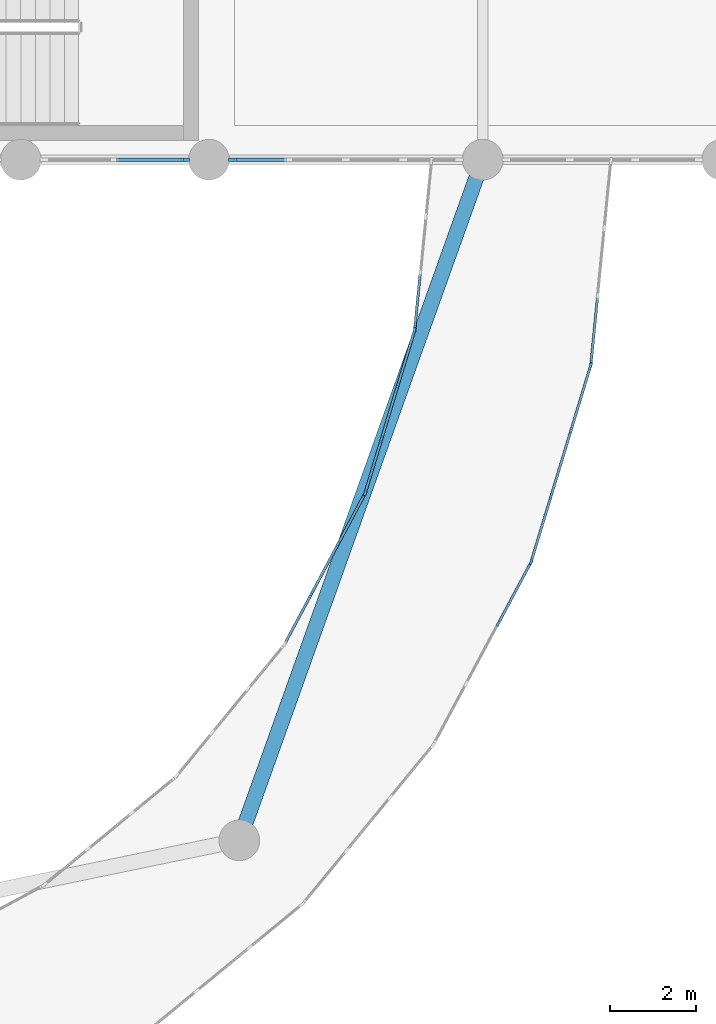
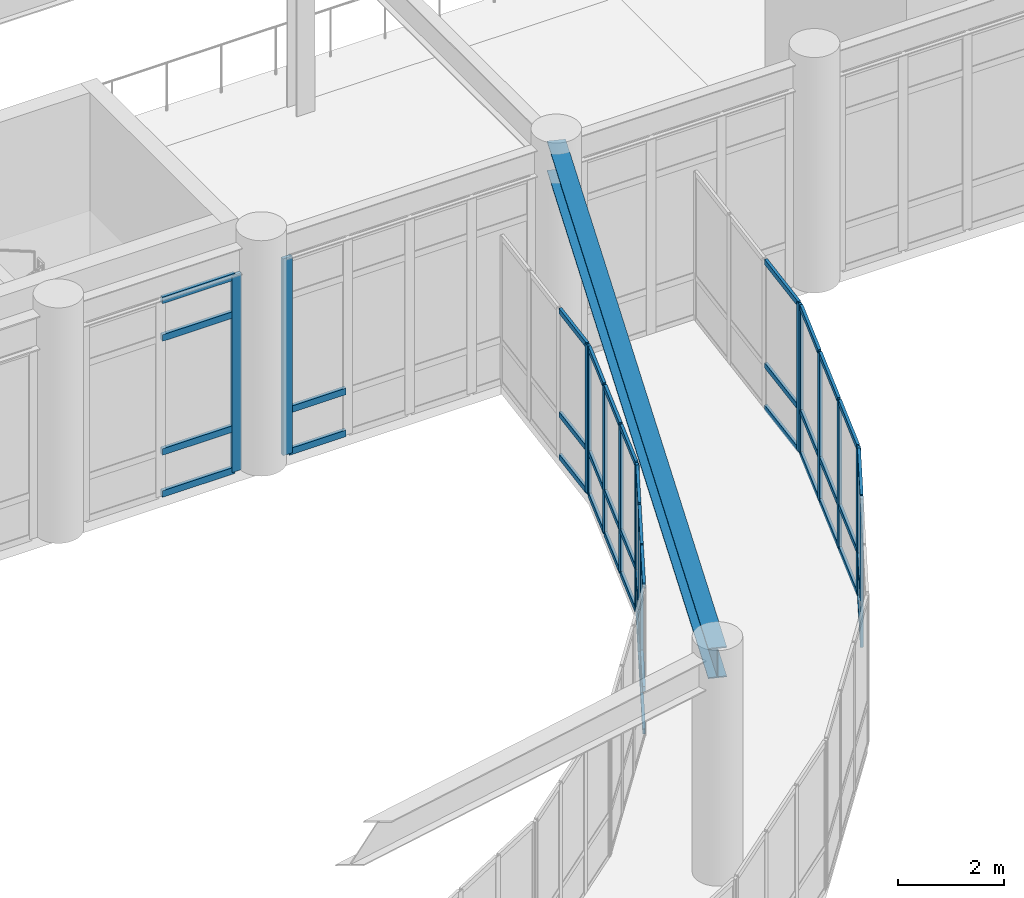
# One storey, part 26 of 72: 59 members, 1 beam, 8 elements without a shape of their own.
"""IFC4 building model written with IfcOpenShell, lengths in metres."""

from ifc_helpers import new_model, si_unit, direction, frame, origin, origin_2d, place, context, subcontext, project, spatial, rectangle, i_section, extrude, material, material_profile, profile_set, type_object, element, aggregate, save


model = new_model("IFC4")

# Units and contexts
model_context = context("Model", 3, precision=1e-05, world=origin(), true_north=direction((0.0, 1.0)))
body_context = subcontext(model_context, "Body", "Model", "MODEL_VIEW")
ifc_project = project(units=[si_unit("LENGTHUNIT", "METRE"), si_unit("AREAUNIT", "SQUARE_METRE"), si_unit("VOLUMEUNIT", "CUBIC_METRE"), si_unit("PLANEANGLEUNIT", "RADIAN"), si_unit("MASSUNIT", "GRAM", prefix="KILO")], contexts=[model_context])

# Site, building, storey
site_placement = place(None, origin())
site = spatial("IfcSite", under=ifc_project, at=site_placement, CompositionType="ELEMENT")
building_placement = place(site_placement, origin())
building = spatial("IfcBuilding", under=site, at=building_placement, Name="Veldera Park Congress Hotel", CompositionType="ELEMENT")
storey_placement = place(building_placement, frame((0.0, 0.0, 5.39990234375)))
storey = spatial("IfcBuildingStorey", under=building, at=storey_placement, Name="L01", CompositionType="ELEMENT", Elevation=5.39990234375)

# Beam
ifc_material_1 = material(Name="Steel ASTM A992 Gr.50", Category="steel")
ifc_material_profile_1 = material_profile(ifc_material_1, i_section(OverallWidth=0.35498046875, OverallDepth=0.696044921875, WebThickness=0.015380859375, FlangeThickness=0.02490234375, at=origin_2d()), Name="W27X146")
ifc_profile_set_1 = profile_set([ifc_material_profile_1], Name="Steel ASTM A992 Gr.50")
beam_type = type_object("IfcBeamType", Name="BM-W27E", PredefinedType="BEAM", material=ifc_profile_set_1)
beam_placement = place(storey_placement, frame((14.309814453125, 1.489990234375, 4.7900390625), z_axis=(0.336760153305, 0.94159046254, 0.0), x_axis=(-0.94159046254, 0.336760153305, 0.0)))
element("IfcBeam", 1, at=beam_placement, inside=storey, type_object=beam_type, Name="L01 Skybridge Support Girder B W", PredefinedType="BEAM", context=body_context, shape_type="SweptSolid", body=[
    extrude(i_section(OverallWidth=0.35498046875, OverallDepth=0.696044921875, WebThickness=0.015380859375, FlangeThickness=0.02490234375, at=origin_2d()), origin(), (0.0, 0.0, 1.0), 16.896728515625),
])

# Curtain wall, members
ifc_material_2 = material(Name="Low-E Triple Insulating Glass Unit (SHGC 0.22)", Category="glass")
curtain_wall_type_1 = type_object("IfcCurtainWallType", Name="CW-BRG", PredefinedType="NOTDEFINED", material=ifc_material_2)
curtain_wall_1_placement = place(storey_placement, origin())
curtain_wall_1 = element("IfcCurtainWall", 2, at=curtain_wall_1_placement, inside=storey, type_object=curtain_wall_type_1, Name="L01 Curtain Wall CW3-BRGW-L01-A05", PredefinedType="NOTDEFINED")
ifc_material_3 = material(Name="Anodised Aluminium Alloy 6063-T6", Category="aluminium")
ifc_material_profile_2 = material_profile(ifc_material_3, rectangle(XDim=0.06005859375, YDim=0.159912109375, at=origin_2d()), Name="ALU 60x160")
ifc_profile_set_2 = profile_set([ifc_material_profile_2], Name="Anodised Aluminium Alloy 6063-T6")
member_type_1 = type_object("IfcMemberType", Name="CWM-160", PredefinedType="MULLION", material=ifc_profile_set_2)
member_1_placement = place(storey_placement, frame((20.36962890625, 6.568359375, 0.0), z_axis=(0.0, 0.0, 1.0), x_axis=(-0.881927804203, 0.471384501415, 0.0)))
member_1 = element("IfcMember", 3, at=member_1_placement, type_object=member_type_1, Name="CW-BRG mullion 3", PredefinedType="MULLION", context=body_context, shape_type="SweptSolid", body=[
    extrude(rectangle(XDim=0.06005859375, YDim=0.159912109375, at=origin_2d()), origin(), (0.0, 0.0, 1.0), 3.400146484375),
])
member_2_placement = place(storey_placement, frame((21.11328125, 7.95947265625, 0.0), z_axis=(0.0, 0.0, 1.0), x_axis=(-0.881927804203, 0.471384501415, 0.0)))
member_2 = element("IfcMember", 4, at=member_2_placement, type_object=member_type_1, Name="CW-BRG mullion 4", PredefinedType="MULLION", context=body_context, shape_type="SweptSolid", body=[
    extrude(rectangle(XDim=0.06005859375, YDim=0.159912109375, at=origin_2d()), origin(), (0.0, 0.0, 1.0), 3.400146484375),
])

curtain_wall_2_placement = place(storey_placement, origin())
curtain_wall_2 = element("IfcCurtainWall", 5, at=curtain_wall_2_placement, inside=storey, type_object=curtain_wall_type_1, Name="L01 Curtain Wall CW3-BRGW-L01-A06", PredefinedType="NOTDEFINED")
member_3_placement = place(storey_placement, frame((21.13623046875, 8.0146484375, 0.0), z_axis=(0.0, 0.0, 1.0), x_axis=(-0.956939429957, 0.290287663177, 0.0)))
member_3 = element("IfcMember", 6, at=member_3_placement, type_object=member_type_1, Name="CW-BRG mullion 1", PredefinedType="MULLION", context=body_context, shape_type="SweptSolid", body=[
    extrude(rectangle(XDim=0.06005859375, YDim=0.159912109375, at=origin_2d()), origin(), (0.0, 0.0, 1.0), 3.400146484375),
])
member_4_placement = place(storey_placement, frame((21.593994140625, 9.524169921875, 0.0), z_axis=(0.0, 0.0, 1.0), x_axis=(-0.956939429957, 0.290287663177, 0.0)))
member_4 = element("IfcMember", 7, at=member_4_placement, type_object=member_type_1, Name="CW-BRG mullion 2", PredefinedType="MULLION", context=body_context, shape_type="SweptSolid", body=[
    extrude(rectangle(XDim=0.06005859375, YDim=0.159912109375, at=origin_2d()), origin(), (0.0, 0.0, 1.0), 3.400146484375),
])
member_5_placement = place(storey_placement, frame((22.060546875, 11.0625, 0.0), z_axis=(0.0, 0.0, 1.0), x_axis=(-0.956939429957, 0.290287663177, 0.0)))
member_5 = element("IfcMember", 8, at=member_5_placement, type_object=member_type_1, Name="CW-BRG mullion 3", PredefinedType="MULLION", context=body_context, shape_type="SweptSolid", body=[
    extrude(rectangle(XDim=0.06005859375, YDim=0.159912109375, at=origin_2d()), origin(), (0.0, 0.0, 1.0), 3.400146484375),
])
member_6_placement = place(storey_placement, frame((22.5185546875, 12.572021484375, 0.0), z_axis=(0.0, 0.0, 1.0), x_axis=(-0.956939429957, 0.290287663177, 0.0)))
member_6 = element("IfcMember", 9, at=member_6_placement, type_object=member_type_1, Name="CW-BRG mullion 4", PredefinedType="MULLION", context=body_context, shape_type="SweptSolid", body=[
    extrude(rectangle(XDim=0.06005859375, YDim=0.159912109375, at=origin_2d()), origin(), (0.0, 0.0, 1.0), 3.400146484375),
])

# Curtain wall, member
curtain_wall_3_placement = place(storey_placement, origin())
curtain_wall_3 = element("IfcCurtainWall", 10, at=curtain_wall_3_placement, inside=storey, type_object=curtain_wall_type_1, Name="L01 Curtain Wall CW3-BRGW-L01-A07", PredefinedType="NOTDEFINED")
member_7_placement = place(storey_placement, frame((22.5302734375, 12.630615234375, 0.0), z_axis=(0.0, 0.0, 1.0), x_axis=(-0.995184320963, 0.098021259481, 0.0)))
member_7 = element("IfcMember", 11, at=member_7_placement, type_object=member_type_1, Name="CW-BRG mullion 1", PredefinedType="MULLION", context=body_context, shape_type="SweptSolid", body=[
    extrude(rectangle(XDim=0.06005859375, YDim=0.159912109375, at=origin_2d()), origin(), (0.0, 0.0, 1.0), 3.400146484375),
])

curtain_wall_4_placement = place(storey_placement, origin())
curtain_wall_4 = element("IfcCurtainWall", 12, at=curtain_wall_4_placement, inside=storey, type_object=curtain_wall_type_1, Name="L01 Curtain Wall CW3-BRGW-L01-B09", PredefinedType="NOTDEFINED")
member_8_placement = place(storey_placement, frame((18.410888671875, 13.449951171875, 0.0), z_axis=(0.0, 0.0, 1.0), x_axis=(0.99518414337, -0.098023062513, 0.0)))
member_8 = element("IfcMember", 13, at=member_8_placement, type_object=member_type_1, Name="CW-BRG mullion 4", PredefinedType="MULLION", context=body_context, shape_type="SweptSolid", body=[
    extrude(rectangle(XDim=0.06005859375, YDim=0.159912109375, at=origin_2d()), origin(), (0.0, 0.0, 1.0), 3.400146484375),
])

# Curtain wall, members
curtain_wall_5_placement = place(storey_placement, origin())
curtain_wall_5 = element("IfcCurtainWall", 14, at=curtain_wall_5_placement, inside=storey, type_object=curtain_wall_type_1, Name="L01 Curtain Wall CW3-BRGW-L01-B10", PredefinedType="NOTDEFINED")
member_9_placement = place(storey_placement, frame((18.399169921875, 13.3916015625, 0.0), z_axis=(0.0, 0.0, 1.0), x_axis=(0.956938767513, -0.290289846929, 0.0)))
member_9 = element("IfcMember", 15, at=member_9_placement, type_object=member_type_1, Name="CW-BRG mullion 1", PredefinedType="MULLION", context=body_context, shape_type="SweptSolid", body=[
    extrude(rectangle(XDim=0.06005859375, YDim=0.159912109375, at=origin_2d()), origin(), (0.0, 0.0, 1.0), 3.400146484375),
])
member_10_placement = place(storey_placement, frame((18.02099609375, 12.14453125, 0.0), z_axis=(0.0, 0.0, 1.0), x_axis=(0.956938767513, -0.290289846929, 0.0)))
member_10 = element("IfcMember", 16, at=member_10_placement, type_object=member_type_1, Name="CW-BRG mullion 2", PredefinedType="MULLION", context=body_context, shape_type="SweptSolid", body=[
    extrude(rectangle(XDim=0.06005859375, YDim=0.159912109375, at=origin_2d()), origin(), (0.0, 0.0, 1.0), 3.400146484375),
])
member_11_placement = place(storey_placement, frame((17.634033203125, 10.868896484375, 0.0), z_axis=(0.0, 0.0, 1.0), x_axis=(0.956938767513, -0.290289846929, 0.0)))
member_11 = element("IfcMember", 17, at=member_11_placement, type_object=member_type_1, Name="CW-BRG mullion 3", PredefinedType="MULLION", context=body_context, shape_type="SweptSolid", body=[
    extrude(rectangle(XDim=0.06005859375, YDim=0.159912109375, at=origin_2d()), origin(), (0.0, 0.0, 1.0), 3.400146484375),
])
member_12_placement = place(storey_placement, frame((17.255859375, 9.6220703125, 0.0), z_axis=(0.0, 0.0, 1.0), x_axis=(0.956938767513, -0.290289846929, 0.0)))
member_12 = element("IfcMember", 18, at=member_12_placement, type_object=member_type_1, Name="CW-BRG mullion 4", PredefinedType="MULLION", context=body_context, shape_type="SweptSolid", body=[
    extrude(rectangle(XDim=0.06005859375, YDim=0.159912109375, at=origin_2d()), origin(), (0.0, 0.0, 1.0), 3.400146484375),
])

curtain_wall_6_placement = place(storey_placement, origin())
curtain_wall_6 = element("IfcCurtainWall", 19, at=curtain_wall_6_placement, inside=storey, type_object=curtain_wall_type_1, Name="L01 Curtain Wall CW3-BRGW-L01-B11", PredefinedType="NOTDEFINED")
member_13_placement = place(storey_placement, frame((17.23291015625, 9.56689453125, 0.0), z_axis=(0.0, 0.0, 1.0), x_axis=(0.881928263239, -0.471383642588, 0.0)))
member_13 = element("IfcMember", 20, at=member_13_placement, type_object=member_type_1, Name="CW-BRG mullion 1", PredefinedType="MULLION", context=body_context, shape_type="SweptSolid", body=[
    extrude(rectangle(XDim=0.06005859375, YDim=0.159912109375, at=origin_2d()), origin(), (0.0, 0.0, 1.0), 3.400146484375),
])
member_14_placement = place(storey_placement, frame((16.61865234375, 8.417724609375, 0.0), z_axis=(0.0, 0.0, 1.0), x_axis=(0.881928263239, -0.471383642588, 0.0)))
member_14 = element("IfcMember", 21, at=member_14_placement, type_object=member_type_1, Name="CW-BRG mullion 2", PredefinedType="MULLION", context=body_context, shape_type="SweptSolid", body=[
    extrude(rectangle(XDim=0.06005859375, YDim=0.159912109375, at=origin_2d()), origin(), (0.0, 0.0, 1.0), 3.400146484375),
])
member_15_placement = place(storey_placement, frame((15.990478515625, 7.241943359375, 0.0), z_axis=(0.0, 0.0, 1.0), x_axis=(0.881928263239, -0.471383642588, 0.0)))
member_15 = element("IfcMember", 22, at=member_15_placement, type_object=member_type_1, Name="CW-BRG mullion 3", PredefinedType="MULLION", context=body_context, shape_type="SweptSolid", body=[
    extrude(rectangle(XDim=0.06005859375, YDim=0.159912109375, at=origin_2d()), origin(), (0.0, 0.0, 1.0), 3.400146484375),
])

# Curtain wall, member
curtain_wall_type_2 = type_object("IfcCurtainWallType", Name="CW-POD", PredefinedType="NOTDEFINED", material=ifc_material_2)
curtain_wall_7_placement = place(storey_placement, origin())
curtain_wall_7 = element("IfcCurtainWall", 23, at=curtain_wall_7_placement, inside=storey, type_object=curtain_wall_type_2, Name="L01 Curtain Wall CW3-V2S-L01-031", PredefinedType="NOTDEFINED")
ifc_material_profile_3 = material_profile(ifc_material_3, rectangle(XDim=0.074951171875, YDim=0.199951171875, at=origin_2d()), Name="ALU 75x200")
ifc_profile_set_3 = profile_set([ifc_material_profile_3], Name="Anodised Aluminium Alloy 6063-T6")
member_type_2 = type_object("IfcMemberType", Name="CWM-200", PredefinedType="MULLION", material=ifc_profile_set_3)
member_16_placement = place(storey_placement, frame((13.047607421875, 17.39990234375, 0.0), z_axis=(0.0, 0.0, 1.0), x_axis=(0.0, 1.0, 0.0)))
member_16 = element("IfcMember", 24, at=member_16_placement, type_object=member_type_2, Name="CW-POD mullion 3", PredefinedType="MULLION", context=body_context, shape_type="SweptSolid", body=[
    extrude(rectangle(XDim=0.074951171875, YDim=0.199951171875, at=origin_2d()), origin(), (0.0, 0.0, 1.0), 4.51318359375),
])

curtain_wall_8_placement = place(storey_placement, origin())
curtain_wall_8 = element("IfcCurtainWall", 25, at=curtain_wall_8_placement, inside=storey, type_object=curtain_wall_type_2, Name="L01 Curtain Wall CW3-V2S-L01-032", PredefinedType="NOTDEFINED")
member_17_placement = place(storey_placement, frame((14.152587890625, 17.39990234375, 0.0), z_axis=(0.0, 0.0, 1.0), x_axis=(0.0, 1.0, 0.0)))
member_17 = element("IfcMember", 26, at=member_17_placement, type_object=member_type_2, Name="CW-POD mullion 1", PredefinedType="MULLION", context=body_context, shape_type="SweptSolid", body=[
    extrude(rectangle(XDim=0.074951171875, YDim=0.199951171875, at=origin_2d()), origin(), (0.0, 0.0, 1.0), 4.51318359375),
])

# Member
ifc_material_profile_4 = material_profile(ifc_material_3, rectangle(XDim=0.06005859375, YDim=0.1201171875, at=origin_2d()), Name="ALU 60x120")
ifc_profile_set_4 = profile_set([ifc_material_profile_4], Name="Anodised Aluminium Alloy 6063-T6")
member_type_3 = type_object("IfcMemberType", Name="CWT-120", PredefinedType="USERDEFINED", material=ifc_profile_set_4)
member_18_placement = place(storey_placement, frame((20.3837890625, 6.5947265625, 0.030029296875), z_axis=(0.4713729563, 0.881933974892, 0.0), x_axis=(-0.881933974892, 0.4713729563, 0.0)))
member_18 = element("IfcMember", 27, at=member_18_placement, type_object=member_type_3, Name="CW-BRG transom 3.1", ObjectType="TRANSOM", PredefinedType="USERDEFINED", context=body_context, shape_type="SweptSolid", body=[
    extrude(rectangle(XDim=0.06005859375, YDim=0.1201171875, at=origin_2d()), origin(), (0.0, 0.0, 1.0), 1.517578125),
])

member_19_placement = place(storey_placement, frame((20.3837890625, 6.5947265625, 1.0), z_axis=(0.4713729563, 0.881933974892, 0.0), x_axis=(-0.881933974892, 0.4713729563, 0.0)))
member_19 = element("IfcMember", 28, at=member_19_placement, type_object=member_type_3, Name="CW-BRG transom 3.2", ObjectType="TRANSOM", PredefinedType="USERDEFINED", context=body_context, shape_type="SweptSolid", body=[
    extrude(rectangle(XDim=0.06005859375, YDim=0.1201171875, at=origin_2d()), origin(), (0.0, 0.0, 1.0), 1.517578125),
])

member_20_placement = place(storey_placement, frame((20.3837890625, 6.5947265625, 3.3701171875), z_axis=(0.4713729563, 0.881933974892, 0.0), x_axis=(-0.881933974892, 0.4713729563, 0.0)))
member_20 = element("IfcMember", 29, at=member_20_placement, type_object=member_type_3, Name="CW-BRG transom 3.3", ObjectType="TRANSOM", PredefinedType="USERDEFINED", context=body_context, shape_type="SweptSolid", body=[
    extrude(rectangle(XDim=0.06005859375, YDim=0.1201171875, at=origin_2d()), origin(), (0.0, 0.0, 1.0), 1.517578125),
])

aggregate(curtain_wall_1, [member_1, member_2, member_18, member_19, member_20])

member_21_placement = place(storey_placement, frame((21.144775390625, 8.04345703125, 0.030029296875), z_axis=(0.290239583177, 0.956954013711, 0.0), x_axis=(-0.956954013711, 0.290239583177, 0.0)))
member_21 = element("IfcMember", 30, at=member_21_placement, type_object=member_type_3, Name="CW-BRG transom 1.1", ObjectType="TRANSOM", PredefinedType="USERDEFINED", context=body_context, shape_type="SweptSolid", body=[
    extrude(rectangle(XDim=0.06005859375, YDim=0.1201171875, at=origin_2d()), origin(), (0.0, 0.0, 1.0), 1.517578125),
])

member_22_placement = place(storey_placement, frame((21.144775390625, 8.04345703125, 1.0), z_axis=(0.290239583177, 0.956954013711, 0.0), x_axis=(-0.956954013711, 0.290239583177, 0.0)))
member_22 = element("IfcMember", 31, at=member_22_placement, type_object=member_type_3, Name="CW-BRG transom 1.2", ObjectType="TRANSOM", PredefinedType="USERDEFINED", context=body_context, shape_type="SweptSolid", body=[
    extrude(rectangle(XDim=0.06005859375, YDim=0.1201171875, at=origin_2d()), origin(), (0.0, 0.0, 1.0), 1.517578125),
])

member_23_placement = place(storey_placement, frame((21.144775390625, 8.04345703125, 3.3701171875), z_axis=(0.290239583177, 0.956954013711, 0.0), x_axis=(-0.956954013711, 0.290239583177, 0.0)))
member_23 = element("IfcMember", 32, at=member_23_placement, type_object=member_type_3, Name="CW-BRG transom 1.3", ObjectType="TRANSOM", PredefinedType="USERDEFINED", context=body_context, shape_type="SweptSolid", body=[
    extrude(rectangle(XDim=0.06005859375, YDim=0.1201171875, at=origin_2d()), origin(), (0.0, 0.0, 1.0), 1.517578125),
])

member_24_placement = place(storey_placement, frame((21.602783203125, 9.552978515625, 0.030029296875), z_axis=(0.29027008903, 0.9569447609, 0.0), x_axis=(-0.9569447609, 0.29027008903, 0.0)))
member_24 = element("IfcMember", 33, at=member_24_placement, type_object=member_type_3, Name="CW-BRG transom 2.1", ObjectType="TRANSOM", PredefinedType="USERDEFINED", context=body_context, shape_type="SweptSolid", body=[
    extrude(rectangle(XDim=0.06005859375, YDim=0.1201171875, at=origin_2d()), origin(), (0.0, 0.0, 1.0), 1.547607421875),
])

member_25_placement = place(storey_placement, frame((21.602783203125, 9.552978515625, 1.0), z_axis=(0.29027008903, 0.9569447609, 0.0), x_axis=(-0.9569447609, 0.29027008903, 0.0)))
member_25 = element("IfcMember", 34, at=member_25_placement, type_object=member_type_3, Name="CW-BRG transom 2.2", ObjectType="TRANSOM", PredefinedType="USERDEFINED", context=body_context, shape_type="SweptSolid", body=[
    extrude(rectangle(XDim=0.06005859375, YDim=0.1201171875, at=origin_2d()), origin(), (0.0, 0.0, 1.0), 1.547607421875),
])

member_26_placement = place(storey_placement, frame((21.602783203125, 9.552978515625, 3.3701171875), z_axis=(0.29027008903, 0.9569447609, 0.0), x_axis=(-0.9569447609, 0.29027008903, 0.0)))
member_26 = element("IfcMember", 35, at=member_26_placement, type_object=member_type_3, Name="CW-BRG transom 2.3", ObjectType="TRANSOM", PredefinedType="USERDEFINED", context=body_context, shape_type="SweptSolid", body=[
    extrude(rectangle(XDim=0.06005859375, YDim=0.1201171875, at=origin_2d()), origin(), (0.0, 0.0, 1.0), 1.547607421875),
])

member_27_placement = place(storey_placement, frame((22.0693359375, 11.09130859375, 0.030029296875), z_axis=(0.290239583177, 0.956954013711, 0.0), x_axis=(-0.956954013711, 0.290239583177, 0.0)))
member_27 = element("IfcMember", 36, at=member_27_placement, type_object=member_type_3, Name="CW-BRG transom 3.1", ObjectType="TRANSOM", PredefinedType="USERDEFINED", context=body_context, shape_type="SweptSolid", body=[
    extrude(rectangle(XDim=0.06005859375, YDim=0.1201171875, at=origin_2d()), origin(), (0.0, 0.0, 1.0), 1.517578125),
])

member_28_placement = place(storey_placement, frame((22.0693359375, 11.09130859375, 1.0), z_axis=(0.290239583177, 0.956954013711, 0.0), x_axis=(-0.956954013711, 0.290239583177, 0.0)))
member_28 = element("IfcMember", 37, at=member_28_placement, type_object=member_type_3, Name="CW-BRG transom 3.2", ObjectType="TRANSOM", PredefinedType="USERDEFINED", context=body_context, shape_type="SweptSolid", body=[
    extrude(rectangle(XDim=0.06005859375, YDim=0.1201171875, at=origin_2d()), origin(), (0.0, 0.0, 1.0), 1.517578125),
])

member_29_placement = place(storey_placement, frame((22.0693359375, 11.09130859375, 3.3701171875), z_axis=(0.290239583177, 0.956954013711, 0.0), x_axis=(-0.956954013711, 0.290239583177, 0.0)))
member_29 = element("IfcMember", 38, at=member_29_placement, type_object=member_type_3, Name="CW-BRG transom 3.3", ObjectType="TRANSOM", PredefinedType="USERDEFINED", context=body_context, shape_type="SweptSolid", body=[
    extrude(rectangle(XDim=0.06005859375, YDim=0.1201171875, at=origin_2d()), origin(), (0.0, 0.0, 1.0), 1.517578125),
])

aggregate(curtain_wall_2, [member_3, member_4, member_5, member_6, member_21, member_22, member_23, member_24, member_25, member_26, member_27, member_28, member_29])

member_30_placement = place(storey_placement, frame((22.533203125, 12.660400390625, 0.030029296875), z_axis=(0.097974467756, 0.99518892863, 0.0), x_axis=(-0.99518892863, 0.097974467756, 0.0)))
member_30 = element("IfcMember", 39, at=member_30_placement, type_object=member_type_3, Name="CW-BRG transom 1.1", ObjectType="TRANSOM", PredefinedType="USERDEFINED", context=body_context, shape_type="SweptSolid", body=[
    extrude(rectangle(XDim=0.06005859375, YDim=0.1201171875, at=origin_2d()), origin(), (0.0, 0.0, 1.0), 1.517578125),
])

member_31_placement = place(storey_placement, frame((22.533203125, 12.660400390625, 1.0), z_axis=(0.097974467756, 0.99518892863, 0.0), x_axis=(-0.99518892863, 0.097974467756, 0.0)))
member_31 = element("IfcMember", 40, at=member_31_placement, type_object=member_type_3, Name="CW-BRG transom 1.2", ObjectType="TRANSOM", PredefinedType="USERDEFINED", context=body_context, shape_type="SweptSolid", body=[
    extrude(rectangle(XDim=0.06005859375, YDim=0.1201171875, at=origin_2d()), origin(), (0.0, 0.0, 1.0), 1.517578125),
])

member_32_placement = place(storey_placement, frame((22.533203125, 12.660400390625, 3.3701171875), z_axis=(0.097974467756, 0.99518892863, 0.0), x_axis=(-0.99518892863, 0.097974467756, 0.0)))
member_32 = element("IfcMember", 41, at=member_32_placement, type_object=member_type_3, Name="CW-BRG transom 1.3", ObjectType="TRANSOM", PredefinedType="USERDEFINED", context=body_context, shape_type="SweptSolid", body=[
    extrude(rectangle(XDim=0.06005859375, YDim=0.1201171875, at=origin_2d()), origin(), (0.0, 0.0, 1.0), 1.517578125),
])

aggregate(curtain_wall_3, [member_7, member_30, member_31, member_32])

member_33_placement = place(storey_placement, frame((18.53564453125, 14.717041015625, 0.030029296875), z_axis=(-0.098006258807, -0.995185798349, 0.0), x_axis=(0.995185798349, -0.098006258807, 0.0)))
member_33 = element("IfcMember", 42, at=member_33_placement, type_object=member_type_3, Name="CW-BRG transom 3.1", ObjectType="TRANSOM", PredefinedType="USERDEFINED", context=body_context, shape_type="SweptSolid", body=[
    extrude(rectangle(XDim=0.06005859375, YDim=0.1201171875, at=origin_2d()), origin(), (0.0, 0.0, 1.0), 1.2431640625),
])

member_34_placement = place(storey_placement, frame((18.53564453125, 14.717041015625, 1.0), z_axis=(-0.098006258807, -0.995185798349, 0.0), x_axis=(0.995185798349, -0.098006258807, 0.0)))
member_34 = element("IfcMember", 43, at=member_34_placement, type_object=member_type_3, Name="CW-BRG transom 3.2", ObjectType="TRANSOM", PredefinedType="USERDEFINED", context=body_context, shape_type="SweptSolid", body=[
    extrude(rectangle(XDim=0.06005859375, YDim=0.1201171875, at=origin_2d()), origin(), (0.0, 0.0, 1.0), 1.2431640625),
])

member_35_placement = place(storey_placement, frame((18.53564453125, 14.717041015625, 3.3701171875), z_axis=(-0.098006258807, -0.995185798349, 0.0), x_axis=(0.995185798349, -0.098006258807, 0.0)))
member_35 = element("IfcMember", 44, at=member_35_placement, type_object=member_type_3, Name="CW-BRG transom 3.3", ObjectType="TRANSOM", PredefinedType="USERDEFINED", context=body_context, shape_type="SweptSolid", body=[
    extrude(rectangle(XDim=0.06005859375, YDim=0.1201171875, at=origin_2d()), origin(), (0.0, 0.0, 1.0), 1.2431640625),
])

aggregate(curtain_wall_4, [member_8, member_33, member_34, member_35])

member_36_placement = place(storey_placement, frame((18.390625, 13.36279296875, 0.030029296875), z_axis=(-0.290301756665, -0.956935154583, 0.0), x_axis=(0.956935154583, -0.290301756665, 0.0)))
member_36 = element("IfcMember", 45, at=member_36_placement, type_object=member_type_3, Name="CW-BRG transom 1.1", ObjectType="TRANSOM", PredefinedType="USERDEFINED", context=body_context, shape_type="SweptSolid", body=[
    extrude(rectangle(XDim=0.06005859375, YDim=0.1201171875, at=origin_2d()), origin(), (0.0, 0.0, 1.0), 1.242919921875),
])

member_37_placement = place(storey_placement, frame((18.390625, 13.36279296875, 1.0), z_axis=(-0.290301756665, -0.956935154583, 0.0), x_axis=(0.956935154583, -0.290301756665, 0.0)))
member_37 = element("IfcMember", 46, at=member_37_placement, type_object=member_type_3, Name="CW-BRG transom 1.2", ObjectType="TRANSOM", PredefinedType="USERDEFINED", context=body_context, shape_type="SweptSolid", body=[
    extrude(rectangle(XDim=0.06005859375, YDim=0.1201171875, at=origin_2d()), origin(), (0.0, 0.0, 1.0), 1.242919921875),
])

member_38_placement = place(storey_placement, frame((18.390625, 13.36279296875, 3.3701171875), z_axis=(-0.290301756665, -0.956935154583, 0.0), x_axis=(0.956935154583, -0.290301756665, 0.0)))
member_38 = element("IfcMember", 47, at=member_38_placement, type_object=member_type_3, Name="CW-BRG transom 1.3", ObjectType="TRANSOM", PredefinedType="USERDEFINED", context=body_context, shape_type="SweptSolid", body=[
    extrude(rectangle(XDim=0.06005859375, YDim=0.1201171875, at=origin_2d()), origin(), (0.0, 0.0, 1.0), 1.242919921875),
])

member_39_placement = place(storey_placement, frame((18.01220703125, 12.115966796875, 0.030029296875), z_axis=(-0.290161750284, -0.956977616599, 0.0), x_axis=(0.956977616599, -0.290161750284, 0.0)))
member_39 = element("IfcMember", 48, at=member_39_placement, type_object=member_type_3, Name="CW-BRG transom 2.1", ObjectType="TRANSOM", PredefinedType="USERDEFINED", context=body_context, shape_type="SweptSolid", body=[
    extrude(rectangle(XDim=0.06005859375, YDim=0.1201171875, at=origin_2d()), origin(), (0.0, 0.0, 1.0), 1.27294921875),
])

member_40_placement = place(storey_placement, frame((18.01220703125, 12.115966796875, 1.0), z_axis=(-0.290161750284, -0.956977616599, 0.0), x_axis=(0.956977616599, -0.290161750284, 0.0)))
member_40 = element("IfcMember", 49, at=member_40_placement, type_object=member_type_3, Name="CW-BRG transom 2.2", ObjectType="TRANSOM", PredefinedType="USERDEFINED", context=body_context, shape_type="SweptSolid", body=[
    extrude(rectangle(XDim=0.06005859375, YDim=0.1201171875, at=origin_2d()), origin(), (0.0, 0.0, 1.0), 1.27294921875),
])

member_41_placement = place(storey_placement, frame((18.01220703125, 12.115966796875, 3.3701171875), z_axis=(-0.290161750284, -0.956977616599, 0.0), x_axis=(0.956977616599, -0.290161750284, 0.0)))
member_41 = element("IfcMember", 50, at=member_41_placement, type_object=member_type_3, Name="CW-BRG transom 2.3", ObjectType="TRANSOM", PredefinedType="USERDEFINED", context=body_context, shape_type="SweptSolid", body=[
    extrude(rectangle(XDim=0.06005859375, YDim=0.1201171875, at=origin_2d()), origin(), (0.0, 0.0, 1.0), 1.27294921875),
])

member_42_placement = place(storey_placement, frame((17.625244140625, 10.84033203125, 0.030029296875), z_axis=(-0.290247202296, -0.956951702835, 0.0), x_axis=(0.956951702835, -0.290247202296, 0.0)))
member_42 = element("IfcMember", 51, at=member_42_placement, type_object=member_type_3, Name="CW-BRG transom 3.1", ObjectType="TRANSOM", PredefinedType="USERDEFINED", context=body_context, shape_type="SweptSolid", body=[
    extrude(rectangle(XDim=0.06005859375, YDim=0.1201171875, at=origin_2d()), origin(), (0.0, 0.0, 1.0), 1.2431640625),
])

member_43_placement = place(storey_placement, frame((17.625244140625, 10.84033203125, 1.0), z_axis=(-0.290247202296, -0.956951702835, 0.0), x_axis=(0.956951702835, -0.290247202296, 0.0)))
member_43 = element("IfcMember", 52, at=member_43_placement, type_object=member_type_3, Name="CW-BRG transom 3.2", ObjectType="TRANSOM", PredefinedType="USERDEFINED", context=body_context, shape_type="SweptSolid", body=[
    extrude(rectangle(XDim=0.06005859375, YDim=0.1201171875, at=origin_2d()), origin(), (0.0, 0.0, 1.0), 1.2431640625),
])

member_44_placement = place(storey_placement, frame((17.625244140625, 10.84033203125, 3.3701171875), z_axis=(-0.290247202296, -0.956951702835, 0.0), x_axis=(0.956951702835, -0.290247202296, 0.0)))
member_44 = element("IfcMember", 53, at=member_44_placement, type_object=member_type_3, Name="CW-BRG transom 3.3", ObjectType="TRANSOM", PredefinedType="USERDEFINED", context=body_context, shape_type="SweptSolid", body=[
    extrude(rectangle(XDim=0.06005859375, YDim=0.1201171875, at=origin_2d()), origin(), (0.0, 0.0, 1.0), 1.2431640625),
])

aggregate(curtain_wall_5, [member_9, member_10, member_11, member_12, member_36, member_37, member_38, member_39, member_40, member_41, member_42, member_43, member_44])

member_45_placement = place(storey_placement, frame((17.21875, 9.540283203125, 0.030029296875), z_axis=(-0.471403611449, -0.881917589752, 0.0), x_axis=(0.881917589752, -0.471403611449, 0.0)))
member_45 = element("IfcMember", 54, at=member_45_placement, type_object=member_type_3, Name="CW-BRG transom 1.1", ObjectType="TRANSOM", PredefinedType="USERDEFINED", context=body_context, shape_type="SweptSolid", body=[
    extrude(rectangle(XDim=0.06005859375, YDim=0.1201171875, at=origin_2d()), origin(), (0.0, 0.0, 1.0), 1.242919921875),
])

member_46_placement = place(storey_placement, frame((17.21875, 9.540283203125, 1.0), z_axis=(-0.471403611449, -0.881917589752, 0.0), x_axis=(0.881917589752, -0.471403611449, 0.0)))
member_46 = element("IfcMember", 55, at=member_46_placement, type_object=member_type_3, Name="CW-BRG transom 1.2", ObjectType="TRANSOM", PredefinedType="USERDEFINED", context=body_context, shape_type="SweptSolid", body=[
    extrude(rectangle(XDim=0.06005859375, YDim=0.1201171875, at=origin_2d()), origin(), (0.0, 0.0, 1.0), 1.242919921875),
])

member_47_placement = place(storey_placement, frame((17.21875, 9.540283203125, 3.3701171875), z_axis=(-0.471403611449, -0.881917589752, 0.0), x_axis=(0.881917589752, -0.471403611449, 0.0)))
member_47 = element("IfcMember", 56, at=member_47_placement, type_object=member_type_3, Name="CW-BRG transom 1.3", ObjectType="TRANSOM", PredefinedType="USERDEFINED", context=body_context, shape_type="SweptSolid", body=[
    extrude(rectangle(XDim=0.06005859375, YDim=0.1201171875, at=origin_2d()), origin(), (0.0, 0.0, 1.0), 1.242919921875),
])

member_48_placement = place(storey_placement, frame((16.6044921875, 8.39111328125, 0.030029296875), z_axis=(-0.471444144802, -0.881895922619, 0.0), x_axis=(0.881895922619, -0.471444144802, 0.0)))
member_48 = element("IfcMember", 57, at=member_48_placement, type_object=member_type_3, Name="CW-BRG transom 2.1", ObjectType="TRANSOM", PredefinedType="USERDEFINED", context=body_context, shape_type="SweptSolid", body=[
    extrude(rectangle(XDim=0.06005859375, YDim=0.1201171875, at=origin_2d()), origin(), (0.0, 0.0, 1.0), 1.27294921875),
])

member_49_placement = place(storey_placement, frame((16.6044921875, 8.39111328125, 1.0), z_axis=(-0.471444144802, -0.881895922619, 0.0), x_axis=(0.881895922619, -0.471444144802, 0.0)))
member_49 = element("IfcMember", 58, at=member_49_placement, type_object=member_type_3, Name="CW-BRG transom 2.2", ObjectType="TRANSOM", PredefinedType="USERDEFINED", context=body_context, shape_type="SweptSolid", body=[
    extrude(rectangle(XDim=0.06005859375, YDim=0.1201171875, at=origin_2d()), origin(), (0.0, 0.0, 1.0), 1.27294921875),
])

member_50_placement = place(storey_placement, frame((16.6044921875, 8.39111328125, 3.3701171875), z_axis=(-0.471444144802, -0.881895922619, 0.0), x_axis=(0.881895922619, -0.471444144802, 0.0)))
member_50 = element("IfcMember", 59, at=member_50_placement, type_object=member_type_3, Name="CW-BRG transom 2.3", ObjectType="TRANSOM", PredefinedType="USERDEFINED", context=body_context, shape_type="SweptSolid", body=[
    extrude(rectangle(XDim=0.06005859375, YDim=0.1201171875, at=origin_2d()), origin(), (0.0, 0.0, 1.0), 1.27294921875),
])

member_51_placement = place(storey_placement, frame((15.976318359375, 7.215576171875, 0.030029296875), z_axis=(-0.471403611449, -0.881917589752, 0.0), x_axis=(0.881917589752, -0.471403611449, 0.0)))
member_51 = element("IfcMember", 60, at=member_51_placement, type_object=member_type_3, Name="CW-BRG transom 3.1", ObjectType="TRANSOM", PredefinedType="USERDEFINED", context=body_context, shape_type="SweptSolid", body=[
    extrude(rectangle(XDim=0.06005859375, YDim=0.1201171875, at=origin_2d()), origin(), (0.0, 0.0, 1.0), 1.242919921875),
])

member_52_placement = place(storey_placement, frame((15.976318359375, 7.215576171875, 1.0), z_axis=(-0.471403611449, -0.881917589752, 0.0), x_axis=(0.881917589752, -0.471403611449, 0.0)))
member_52 = element("IfcMember", 61, at=member_52_placement, type_object=member_type_3, Name="CW-BRG transom 3.2", ObjectType="TRANSOM", PredefinedType="USERDEFINED", context=body_context, shape_type="SweptSolid", body=[
    extrude(rectangle(XDim=0.06005859375, YDim=0.1201171875, at=origin_2d()), origin(), (0.0, 0.0, 1.0), 1.242919921875),
])

member_53_placement = place(storey_placement, frame((15.976318359375, 7.215576171875, 3.3701171875), z_axis=(-0.471403611449, -0.881917589752, 0.0), x_axis=(0.881917589752, -0.471403611449, 0.0)))
member_53 = element("IfcMember", 62, at=member_53_placement, type_object=member_type_3, Name="CW-BRG transom 3.3", ObjectType="TRANSOM", PredefinedType="USERDEFINED", context=body_context, shape_type="SweptSolid", body=[
    extrude(rectangle(XDim=0.06005859375, YDim=0.1201171875, at=origin_2d()), origin(), (0.0, 0.0, 1.0), 1.242919921875),
])

aggregate(curtain_wall_6, [member_13, member_14, member_15, member_45, member_46, member_47, member_48, member_49, member_50, member_51, member_52, member_53])

ifc_material_profile_5 = material_profile(ifc_material_3, rectangle(XDim=0.074951171875, YDim=0.14990234375, at=origin_2d()), Name="ALU 75x150")
ifc_profile_set_5 = profile_set([ifc_material_profile_5], Name="Anodised Aluminium Alloy 6063-T6")
member_type_4 = type_object("IfcMemberType", Name="CWT-150", PredefinedType="USERDEFINED", material=ifc_profile_set_5)
member_54_placement = place(storey_placement, frame((11.4375, 17.39990234375, 0.03759765625), z_axis=(1.0, 0.0, 0.0), x_axis=(0.0, 1.0, 0.0)))
member_54 = element("IfcMember", 63, at=member_54_placement, type_object=member_type_4, Name="CW-POD transom 2.1", ObjectType="TRANSOM", PredefinedType="USERDEFINED", context=body_context, shape_type="SweptSolid", body=[
    extrude(rectangle(XDim=0.074951171875, YDim=0.14990234375, at=origin_2d()), origin(), (0.0, 0.0, 1.0), 1.572509765625),
])

member_55_placement = place(storey_placement, frame((11.4375, 17.39990234375, 1.0), z_axis=(1.0, 0.0, 0.0), x_axis=(0.0, 1.0, 0.0)))
member_55 = element("IfcMember", 64, at=member_55_placement, type_object=member_type_4, Name="CW-POD transom 2.2", ObjectType="TRANSOM", PredefinedType="USERDEFINED", context=body_context, shape_type="SweptSolid", body=[
    extrude(rectangle(XDim=0.074951171875, YDim=0.14990234375, at=origin_2d()), origin(), (0.0, 0.0, 1.0), 1.572509765625),
])

member_56_placement = place(storey_placement, frame((11.4375, 17.39990234375, 3.613037109375), z_axis=(1.0, 0.0, 0.0), x_axis=(0.0, 1.0, 0.0)))
member_56 = element("IfcMember", 65, at=member_56_placement, type_object=member_type_4, Name="CW-POD transom 2.3", ObjectType="TRANSOM", PredefinedType="USERDEFINED", context=body_context, shape_type="SweptSolid", body=[
    extrude(rectangle(XDim=0.074951171875, YDim=0.14990234375, at=origin_2d()), origin(), (0.0, 0.0, 1.0), 1.572509765625),
])

member_57_placement = place(storey_placement, frame((11.4375, 17.39990234375, 4.4755859375), z_axis=(1.0, 0.0, 0.0), x_axis=(0.0, 1.0, 0.0)))
member_57 = element("IfcMember", 66, at=member_57_placement, type_object=member_type_4, Name="CW-POD transom 2.4", ObjectType="TRANSOM", PredefinedType="USERDEFINED", context=body_context, shape_type="SweptSolid", body=[
    extrude(rectangle(XDim=0.074951171875, YDim=0.14990234375, at=origin_2d()), origin(), (0.0, 0.0, 1.0), 1.572509765625),
])

aggregate(curtain_wall_7, [member_16, member_54, member_55, member_56, member_57])

member_58_placement = place(storey_placement, frame((14.18994140625, 17.39990234375, 0.03759765625), z_axis=(1.0, 0.0, 0.0), x_axis=(0.0, 1.0, 0.0)))
member_58 = element("IfcMember", 67, at=member_58_placement, type_object=member_type_4, Name="CW-POD transom 1.1", ObjectType="TRANSOM", PredefinedType="USERDEFINED", context=body_context, shape_type="SweptSolid", body=[
    extrude(rectangle(XDim=0.074951171875, YDim=0.14990234375, at=origin_2d()), origin(), (0.0, 0.0, 1.0), 1.22998046875),
])

member_59_placement = place(storey_placement, frame((14.18994140625, 17.39990234375, 1.0), z_axis=(1.0, 0.0, 0.0), x_axis=(0.0, 1.0, 0.0)))
member_59 = element("IfcMember", 68, at=member_59_placement, type_object=member_type_4, Name="CW-POD transom 1.2", ObjectType="TRANSOM", PredefinedType="USERDEFINED", context=body_context, shape_type="SweptSolid", body=[
    extrude(rectangle(XDim=0.074951171875, YDim=0.14990234375, at=origin_2d()), origin(), (0.0, 0.0, 1.0), 1.22998046875),
])

aggregate(curtain_wall_8, [member_17, member_58, member_59])

save(model, "model.ifc")
